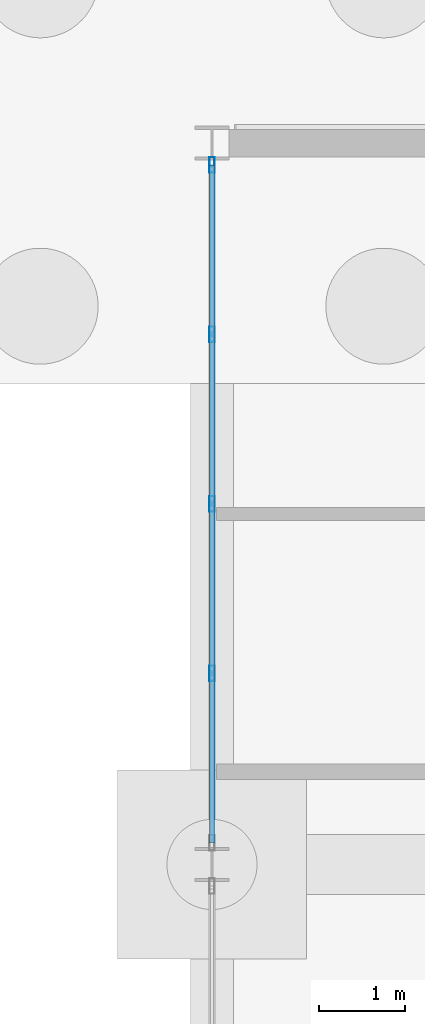
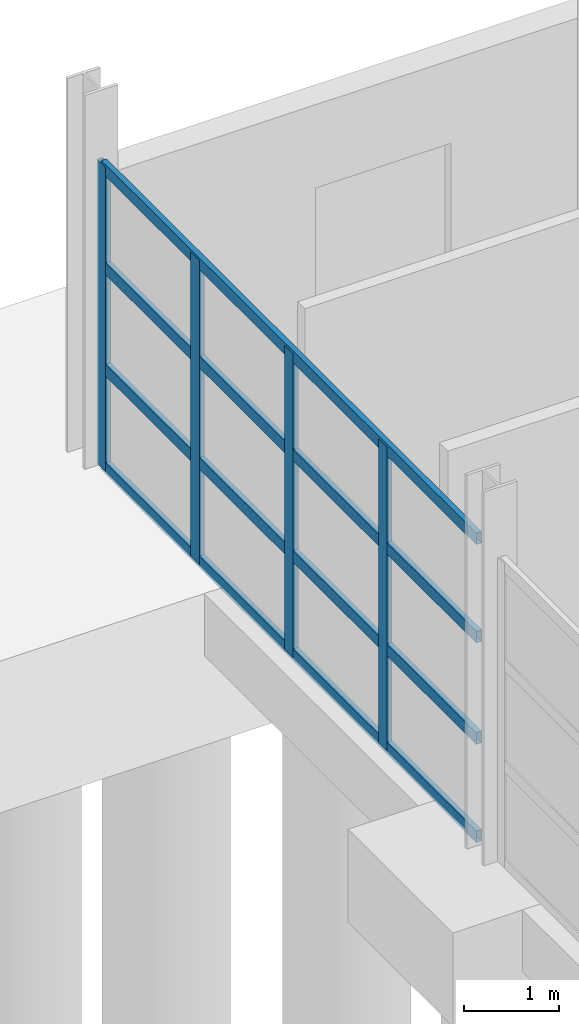
# One storey, part 38 of 82: 8 members, 1 element without a shape of its own.
"""IFC4 building model written with IfcOpenShell, lengths in metres."""

from ifc_helpers import new_model, si_unit, direction, frame, origin, origin_2d, place, context, subcontext, project, spatial, hollow_rectangle, extrude, material, material_profile, profile_set, type_object, element, aggregate, save


model = new_model("IFC4")

# Units and contexts
model_context = context("Model", 3, precision=1e-05, world=origin(), true_north=direction((0.0, 1.0)))
body_context = subcontext(model_context, "Body", "Model", "MODEL_VIEW")
ifc_project = project(units=[si_unit("LENGTHUNIT", "METRE"), si_unit("AREAUNIT", "SQUARE_METRE"), si_unit("VOLUMEUNIT", "CUBIC_METRE"), si_unit("PLANEANGLEUNIT", "RADIAN"), si_unit("MASSUNIT", "GRAM", prefix="KILO")], contexts=[model_context])

# Site, building, storey
site_placement = place(None, origin())
site = spatial("IfcSite", under=ifc_project, at=site_placement, CompositionType="ELEMENT")
building_placement = place(site_placement, origin())
building = spatial("IfcBuilding", under=site, at=building_placement, Name="Kelmvaro Bay Concert Hall", CompositionType="ELEMENT")
storey_placement = place(building_placement, origin())
storey = spatial("IfcBuildingStorey", under=building, at=storey_placement, Name="L00", CompositionType="ELEMENT", Elevation=0.0)

# Curtain wall, members
ifc_material_1 = material(Name="Anodised Aluminium and Low-E Insulated Glazing", Category="aluminium")
curtain_wall_type = type_object("IfcCurtainWallType", Name="Chamber Foyer Curtain Wall 3900", PredefinedType="USERDEFINED", material=ifc_material_1)
curtain_wall_placement = place(storey_placement, origin())
curtain_wall = element("IfcCurtainWall", 1, at=curtain_wall_placement, inside=storey, type_object=curtain_wall_type, Name="Unitised Curtain Wall CW-L00-034", ObjectType="UNITISED GLAZING", PredefinedType="USERDEFINED")
ifc_material_2 = material(Name="Anodised Extruded Aluminium 6063-T6", Category="aluminium")
ifc_material_profile_1 = material_profile(ifc_material_2, hollow_rectangle(XDim=0.06494140625, YDim=0.179931640625, WallThickness=0.00390625, at=origin_2d()), Name="ALU-MUL-180X65")
ifc_profile_set_1 = profile_set([ifc_material_profile_1], Name="Anodised Extruded Aluminium 6063-T6")
member_type_1 = type_object("IfcMemberType", Name="Curtain Mullion ALU 180x65", PredefinedType="MULLION", material=ifc_profile_set_1)
member_1_placement = place(storey_placement, frame((120.0, 91.025390625, 0.0), z_axis=(0.0, 0.0, 1.0), x_axis=(1.0, 0.0, 0.0)))
member_1 = element("IfcMember", 2, at=member_1_placement, type_object=member_type_1, Name="CW-L00-034 Mullion 02", PredefinedType="MULLION", context=body_context, shape_type="SweptSolid", body=[
    extrude(hollow_rectangle(XDim=0.06494140625, YDim=0.179931640625, WallThickness=0.00390625, at=origin_2d()), origin(), (0.0, 0.0, 1.0), 3.907958984375),
])
member_2_placement = place(storey_placement, frame((120.0, 92.998779296875, 0.0), z_axis=(0.0, 0.0, 1.0), x_axis=(1.0, 0.0, 0.0)))
member_2 = element("IfcMember", 3, at=member_2_placement, type_object=member_type_1, Name="CW-L00-034 Mullion 03", PredefinedType="MULLION", context=body_context, shape_type="SweptSolid", body=[
    extrude(hollow_rectangle(XDim=0.06494140625, YDim=0.179931640625, WallThickness=0.00390625, at=origin_2d()), origin(), (0.0, 0.0, 1.0), 3.907958984375),
])
member_3_placement = place(storey_placement, frame((120.0, 94.97216796875, 0.0), z_axis=(0.0, 0.0, 1.0), x_axis=(1.0, 0.0, 0.0)))
member_3 = element("IfcMember", 4, at=member_3_placement, type_object=member_type_1, Name="CW-L00-034 Mullion 04", PredefinedType="MULLION", context=body_context, shape_type="SweptSolid", body=[
    extrude(hollow_rectangle(XDim=0.06494140625, YDim=0.179931640625, WallThickness=0.00390625, at=origin_2d()), origin(), (0.0, 0.0, 1.0), 3.907958984375),
])
member_4_placement = place(storey_placement, frame((120.0, 96.945556640625, 0.0), z_axis=(0.0, 0.0, 1.0), x_axis=(1.0, 0.0, 0.0)))
member_4 = element("IfcMember", 5, at=member_4_placement, type_object=member_type_1, Name="CW-L00-034 Mullion 05", PredefinedType="MULLION", context=body_context, shape_type="SweptSolid", body=[
    extrude(hollow_rectangle(XDim=0.06494140625, YDim=0.179931640625, WallThickness=0.00390625, at=origin_2d()), origin(), (0.0, 0.0, 1.0), 3.907958984375),
])
ifc_material_3 = material(Name="Anodised Extruded Aluminium 6063-T6", Category="aluminium")
ifc_material_profile_2 = material_profile(ifc_material_3, hollow_rectangle(XDim=0.06494140625, YDim=0.14990234375, WallThickness=0.00390625, at=origin_2d()), Name="ALU-TRN-150X65")
ifc_profile_set_2 = profile_set([ifc_material_profile_2], Name="Anodised Extruded Aluminium 6063-T6")
member_type_2 = type_object("IfcMemberType", Name="Curtain Transom ALU 150x65", PredefinedType="USERDEFINED", material=ifc_profile_set_2)
member_5_placement = place(storey_placement, frame((120.0, 89.052001953125, 0.0400390625), z_axis=(0.0, 1.0, 0.0), x_axis=(-1.0, 0.0, 0.0)))
member_5 = element("IfcMember", 6, at=member_5_placement, type_object=member_type_2, Name="CW-L00-034 Transom 01", ObjectType="TRANSOM", PredefinedType="USERDEFINED", context=body_context, shape_type="SweptSolid", body=[
    extrude(hollow_rectangle(XDim=0.06494140625, YDim=0.14990234375, WallThickness=0.00390625, at=origin_2d()), origin(), (0.0, 0.0, 1.0), 7.8935546875),
])
member_6_placement = place(storey_placement, frame((120.0, 89.052001953125, 1.302734375), z_axis=(0.0, 1.0, 0.0), x_axis=(-1.0, 0.0, 0.0)))
member_6 = element("IfcMember", 7, at=member_6_placement, type_object=member_type_2, Name="CW-L00-034 Transom 02", ObjectType="TRANSOM", PredefinedType="USERDEFINED", context=body_context, shape_type="SweptSolid", body=[
    extrude(hollow_rectangle(XDim=0.06494140625, YDim=0.14990234375, WallThickness=0.00390625, at=origin_2d()), origin(), (0.0, 0.0, 1.0), 7.8935546875),
])
member_7_placement = place(storey_placement, frame((120.0, 89.052001953125, 2.605224609375), z_axis=(0.0, 1.0, 0.0), x_axis=(-1.0, 0.0, 0.0)))
member_7 = element("IfcMember", 8, at=member_7_placement, type_object=member_type_2, Name="CW-L00-034 Transom 03", ObjectType="TRANSOM", PredefinedType="USERDEFINED", context=body_context, shape_type="SweptSolid", body=[
    extrude(hollow_rectangle(XDim=0.06494140625, YDim=0.14990234375, WallThickness=0.00390625, at=origin_2d()), origin(), (0.0, 0.0, 1.0), 7.8935546875),
])
member_8_placement = place(storey_placement, frame((120.0, 89.052001953125, 3.867919921875), z_axis=(0.0, 1.0, 0.0), x_axis=(-1.0, 0.0, 0.0)))
member_8 = element("IfcMember", 9, at=member_8_placement, type_object=member_type_2, Name="CW-L00-034 Transom 04", ObjectType="TRANSOM", PredefinedType="USERDEFINED", context=body_context, shape_type="SweptSolid", body=[
    extrude(hollow_rectangle(XDim=0.06494140625, YDim=0.14990234375, WallThickness=0.00390625, at=origin_2d()), origin(), (0.0, 0.0, 1.0), 7.8935546875),
])
aggregate(curtain_wall, [member_1, member_2, member_3, member_4, member_5, member_6, member_7, member_8])

save(model, "model.ifc")
